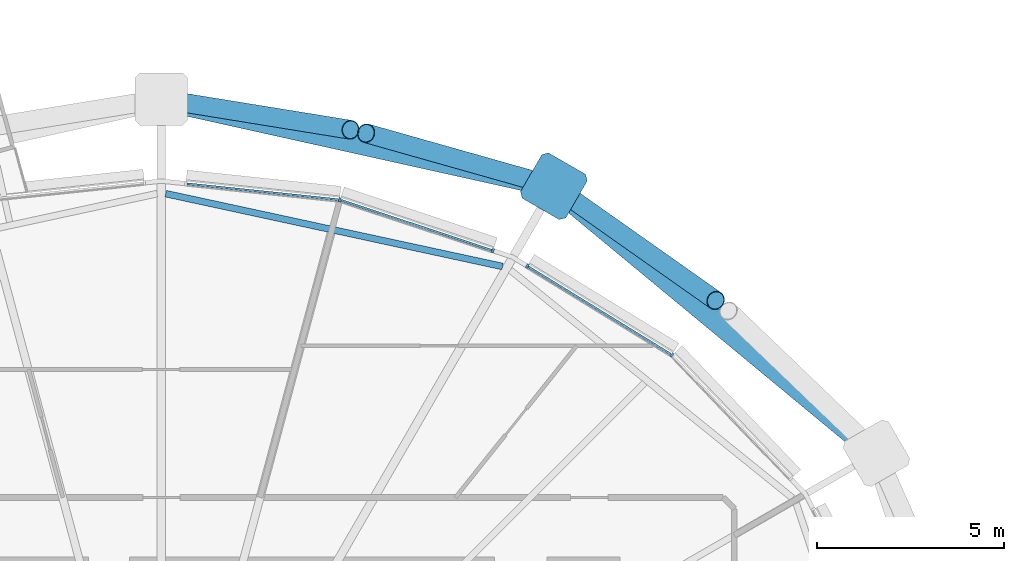
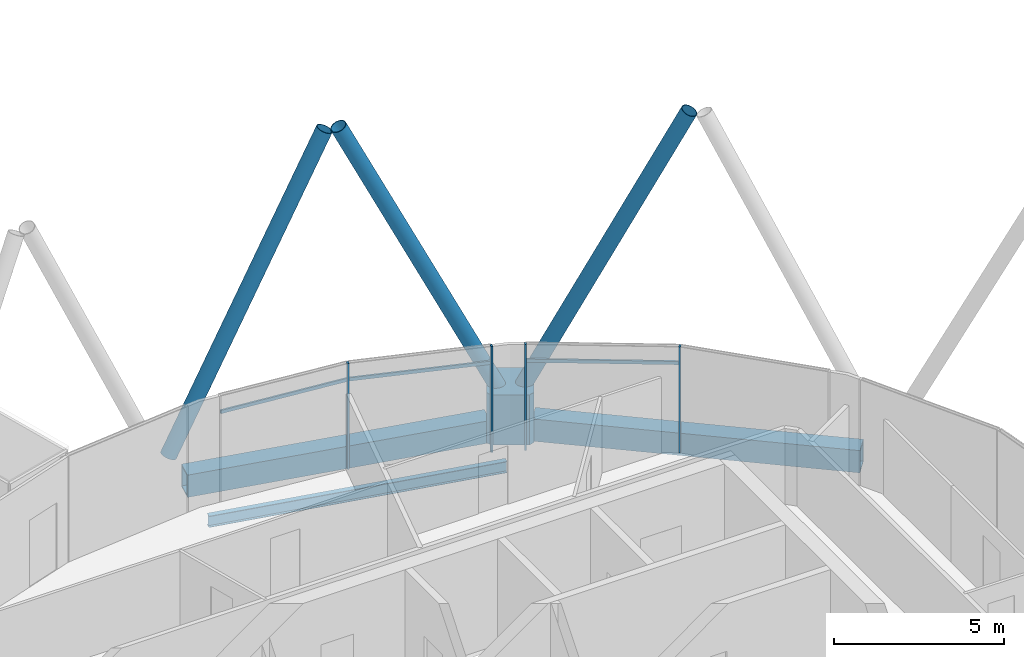
# One storey, part 9 of 32: 11 members, 3 beams, 1 element without a shape of its own.
"""IFC4 building model written with IfcOpenShell, lengths in metres."""

from ifc_helpers import new_model, si_unit, direction, frame, origin, origin_2d, place, context, subcontext, project, spatial, polyline, rectangle, hollow_rectangle, hollow_circle, i_section, outline, extrude, material, material_profile, profile_set, type_object, element, aggregate, save


model = new_model("IFC4")

# Units and contexts
model_context = context("Model", 3, precision=1e-05, world=origin(), true_north=direction((0.0, 1.0)))
body_context = subcontext(model_context, "Body", "Model", "MODEL_VIEW")
ifc_project = project(units=[si_unit("LENGTHUNIT", "METRE"), si_unit("AREAUNIT", "SQUARE_METRE"), si_unit("VOLUMEUNIT", "CUBIC_METRE"), si_unit("PLANEANGLEUNIT", "RADIAN"), si_unit("MASSUNIT", "GRAM", prefix="KILO")], contexts=[model_context])

# Site, building, storey
site_placement = place(None, origin())
site = spatial("IfcSite", under=ifc_project, at=site_placement, CompositionType="ELEMENT")
building_placement = place(site_placement, origin())
building = spatial("IfcBuilding", under=site, at=building_placement, Name="Rimbun Link Towers", CompositionType="ELEMENT")
storey_placement = place(building_placement, frame((0.0, 0.0, 233.300048828125)))
storey = spatial("IfcBuildingStorey", under=building, at=storey_placement, Name="L57", CompositionType="ELEMENT", Elevation=233.300048828125)

# Curtain wall, members
ifc_material_1 = material(Name="Aluminium 6063-T6 and low-iron glass", Category="aluminium")
curtain_wall_type = type_object("IfcCurtainWallType", Name="CW1-Z4 unitised vision wall (zone 4)", PredefinedType="NOTDEFINED", material=ifc_material_1)
curtain_wall_placement = place(storey_placement, origin())
curtain_wall = element("IfcCurtainWall", 1, at=curtain_wall_placement, inside=storey, type_object=curtain_wall_type, Name="CW1 L57 T1", PredefinedType="NOTDEFINED")
ifc_material_2 = material(Name="Aluminium 6063-T6", Category="aluminium")
ifc_material_profile_1 = material_profile(ifc_material_2, rectangle(XDim=0.1201171875, YDim=0.06005859375, at=origin_2d()), Name="MULLION 60X120")
ifc_profile_set_1 = profile_set([ifc_material_profile_1], Name="Aluminium 6063-T6")
member_type_1 = type_object("IfcMemberType", Name="CW1 mullion 60X120", PredefinedType="MULLION", material=ifc_profile_set_1)
member_1_placement = place(storey_placement, frame((-18.10888671875, 13.650146484375, 0.0), z_axis=(0.0, 0.0, 1.0), x_axis=(0.627668219007, 0.778480961134, 0.0)))
member_1 = element("IfcMember", 2, at=member_1_placement, type_object=member_type_1, Name="CW1 mullion", PredefinedType="MULLION", context=body_context, shape_type="SweptSolid", body=[
    extrude(rectangle(XDim=0.1201171875, YDim=0.06005859375, at=origin_2d()), origin(), (0.0, 0.0, 1.0), 3.800048828125),
])
member_2_placement = place(storey_placement, frame((-21.976318359375, 16.025390625, 0.0), z_axis=(0.0, 0.0, 1.0), x_axis=(0.523240269306, 0.852185203214, 0.0)))
member_2 = element("IfcMember", 3, at=member_2_placement, type_object=member_type_1, Name="CW1 mullion", PredefinedType="MULLION", context=body_context, shape_type="SweptSolid", body=[
    extrude(rectangle(XDim=0.1201171875, YDim=0.06005859375, at=origin_2d()), origin(), (0.0, 0.0, 1.0), 3.800048828125),
])
member_3_placement = place(storey_placement, frame((-26.98486328125, 17.794921875, 0.0), z_axis=(0.0, 0.0, 1.0), x_axis=(0.210871343796, 0.97751382413, 0.0)))
member_3 = element("IfcMember", 4, at=member_3_placement, type_object=member_type_1, Name="CW1 mullion", PredefinedType="MULLION", context=body_context, shape_type="SweptSolid", body=[
    extrude(rectangle(XDim=0.1201171875, YDim=0.06005859375, at=origin_2d()), origin(), (0.0, 0.0, 1.0), 3.800048828125),
])
member_4_placement = place(storey_placement, frame((-22.89453125, 16.439697265625, 0.0), z_axis=(0.0, 0.0, 1.0), x_axis=(0.314570456722, 0.949234126945, 0.0)))
member_4 = element("IfcMember", 5, at=member_4_placement, type_object=member_type_1, Name="CW1 mullion", PredefinedType="MULLION", context=body_context, shape_type="SweptSolid", body=[
    extrude(rectangle(XDim=0.1201171875, YDim=0.06005859375, at=origin_2d()), origin(), (0.0, 0.0, 1.0), 3.800048828125),
])
ifc_material_3 = material(Name="Aluminium 6063-T6", Category="aluminium")
ifc_material_profile_2 = material_profile(ifc_material_3, rectangle(XDim=0.06005859375, YDim=0.1201171875, at=origin_2d()), Name="TRANSOM 60X120")
ifc_profile_set_2 = profile_set([ifc_material_profile_2], Name="Aluminium 6063-T6")
member_type_2 = type_object("IfcMemberType", Name="CW1 transom 60X120", PredefinedType="USERDEFINED", material=ifc_profile_set_2)
member_5_placement = place(storey_placement, frame((-21.951904296875, 16.008056640625, 3.199951171875), z_axis=(0.852201552953, -0.523213640059, 0.0), x_axis=(0.523213640059, 0.852201552953, 0.0)))
member_5 = element("IfcMember", 6, at=member_5_placement, type_object=member_type_2, Name="CW1 transom", ObjectType="TRANSOM", PredefinedType="USERDEFINED", context=body_context, shape_type="SweptSolid", body=[
    extrude(rectangle(XDim=0.06005859375, YDim=0.1201171875, at=origin_2d()), origin(), (0.0, 0.0, 1.0), 4.47119140625),
])
member_6_placement = place(storey_placement, frame((-26.950927734375, 17.781982421875, 3.199951171875), z_axis=(0.949228538596, -0.314587319381, 0.0), x_axis=(0.314587319381, 0.949228538596, 0.0)))
member_6 = element("IfcMember", 7, at=member_6_placement, type_object=member_type_2, Name="CW1 transom", ObjectType="TRANSOM", PredefinedType="USERDEFINED", context=body_context, shape_type="SweptSolid", body=[
    extrude(rectangle(XDim=0.06005859375, YDim=0.1201171875, at=origin_2d()), origin(), (0.0, 0.0, 1.0), 4.24267578125),
])
member_7_placement = place(storey_placement, frame((-31.067626953125, 18.22314453125, 3.199951171875), z_axis=(0.994503151165, -0.104706648895, 0.0), x_axis=(0.104706648895, 0.994503151165, 0.0)))
member_7 = element("IfcMember", 8, at=member_7_placement, type_object=member_type_2, Name="CW1 transom", ObjectType="TRANSOM", PredefinedType="USERDEFINED", context=body_context, shape_type="SweptSolid", body=[
    extrude(rectangle(XDim=0.06005859375, YDim=0.1201171875, at=origin_2d()), origin(), (0.0, 0.0, 1.0), 4.06884765625),
])
aggregate(curtain_wall, [member_1, member_2, member_3, member_4, member_5, member_6, member_7])

# Members
ifc_material_4 = material(Name="Steel S355J2H", Category="steel")
ifc_material_profile_3 = material_profile(ifc_material_4, hollow_circle(Radius=0.25390625, WallThickness=0.02001953125, at=origin_2d()), Name="Diagrid diagonal CHS 508x20")
ifc_profile_set_3 = profile_set([ifc_material_profile_3], Name="Steel S355J2H")
member_type_3 = type_object("IfcMemberType", Name="Diagrid diagonal CHS 508x20", PredefinedType="BRACE", material=ifc_profile_set_3)
member_8_placement = place(storey_placement, frame((-21.088623046875, 18.032958984375, 0.4501953125), z_axis=(0.355393319914, -0.250810450056, 0.900438618842), x_axis=(0.576598153893, 0.817027887485, 0.0)))
element("IfcMember", 9, at=member_8_placement, inside=storey, type_object=member_type_3, Name="Diagrid diagonal T1 L57-L60 04a", PredefinedType="BRACE", context=body_context, shape_type="SweptSolid", body=[
    extrude(hollow_circle(Radius=0.25390625, WallThickness=0.02001953125, at=origin_2d()), origin(), (0.0, 0.0, 1.0), 11.660400390625),
])
member_9_placement = place(storey_placement, frame((-21.47314453125, 18.216796875, 0.451416015625), z_axis=(-0.413652276696, 0.116863383075, 0.902903507403), x_axis=(-0.271874390149, -0.962332747017, 0.0)))
element("IfcMember", 10, at=member_9_placement, inside=storey, type_object=member_type_3, Name="Diagrid diagonal T1 L57-L60 04b", PredefinedType="BRACE", context=body_context, shape_type="SweptSolid", body=[
    extrude(hollow_circle(Radius=0.25390625, WallThickness=0.02001953125, at=origin_2d()), origin(), (0.0, 0.0, 1.0), 11.6259765625),
])
member_10_placement = place(storey_placement, frame((-31.541015625, 20.452880859375, 0.452880859375), z_axis=(0.418063811129, -0.067777043736, 0.905885711427), x_axis=(0.160031845351, 0.987111852058, 0.0)))
element("IfcMember", 11, at=member_10_placement, inside=storey, type_object=member_type_3, Name="Diagrid diagonal T1 L57-L60 06a", PredefinedType="BRACE", context=body_context, shape_type="SweptSolid", body=[
    extrude(hollow_circle(Radius=0.25390625, WallThickness=0.02001953125, at=origin_2d()), origin(), (0.0, 0.0, 1.0), 11.58447265625),
])
ifc_material_5 = material(Name="Cast steel G20Mn5+QT, Rp0.2 300 MPa", Category="steel")
ifc_material_profile_4 = material_profile(ifc_material_5, outline(polyline([(0.699951171875, -0.570068359375), (0.699951171875, 0.570068359375), (0.570068359375, 0.699951171875), (-0.570068359375, 0.699951171875), (-0.699951171875, 0.570068359375), (-0.699951171875, -0.570068359375), (-0.570068359375, -0.699951171875), (0.570068359375, -0.699951171875), (0.699951171875, -0.570068359375)])), Name="NODE 1400x1400")
ifc_profile_set_4 = profile_set([ifc_material_profile_4], Name="Cast steel G20Mn5+QT, Rp0.2 300 MPa")
member_type_4 = type_object("IfcMemberType", Name="Diagrid node cast 1400", PredefinedType="USERDEFINED", material=ifc_profile_set_4)
member_11_placement = place(storey_placement, frame((-21.266357421875, 18.158447265625, -0.900146484375), z_axis=(0.0, 0.0, 1.0), x_axis=(0.5, 0.866025403784, 0.0)))
element("IfcMember", 12, at=member_11_placement, inside=storey, type_object=member_type_4, Name="Diagrid node L57 04", ObjectType="Diagrid node", PredefinedType="USERDEFINED", context=body_context, shape_type="SweptSolid", body=[
    extrude(outline(polyline([(0.699951171875, -0.570068359375), (0.699951171875, 0.570068359375), (0.570068359375, 0.699951171875), (-0.570068359375, 0.699951171875), (-0.699951171875, 0.570068359375), (-0.699951171875, -0.570068359375), (-0.570068359375, -0.699951171875), (0.570068359375, -0.699951171875), (0.699951171875, -0.570068359375)])), origin(), (0.0, 0.0, 1.0), 1.800048828125),
])

# Beams
ifc_material_6 = material(Name="Steel S355J2", Category="steel")
ifc_material_profile_5 = material_profile(ifc_material_6, hollow_rectangle(XDim=0.60009765625, YDim=0.800048828125, WallThickness=0.0400390625, at=origin_2d()), Name="Exoskeleton ring girder BOX 600x800x40")
ifc_profile_set_5 = profile_set([ifc_material_profile_5], Name="Steel S355J2")
beam_type_1 = type_object("IfcBeamType", Name="Exoskeleton ring girder BOX 600x800x40", PredefinedType="BEAM", material=ifc_profile_set_5)
beam_1_placement = place(storey_placement, frame((-13.18896484375, 11.473876953125, -0.56005859375), z_axis=(-0.770401082802, 0.637559543586, 0.0), x_axis=(-0.637559543586, -0.770401082802, 0.0)))
element("IfcBeam", 13, at=beam_1_placement, inside=storey, type_object=beam_type_1, Name="Exoskeleton ring girder L57 01", PredefinedType="BEAM", context=body_context, shape_type="SweptSolid", body=[
    extrude(hollow_rectangle(XDim=0.60009765625, YDim=0.800048828125, WallThickness=0.0400390625, at=origin_2d()), origin(), (0.0, 0.0, 1.0), 9.78466796875),
])
beam_2_placement = place(storey_placement, frame((-21.94970703125, 18.310302734375, -0.56005859375), z_axis=(-0.976217190841, 0.216794825366, 0.0), x_axis=(-0.216794825366, -0.976217190841, 0.0)))
element("IfcBeam", 14, at=beam_2_placement, inside=storey, type_object=beam_type_1, Name="Exoskeleton ring girder L57 02", PredefinedType="BEAM", context=body_context, shape_type="SweptSolid", body=[
    extrude(hollow_rectangle(XDim=0.60009765625, YDim=0.800048828125, WallThickness=0.0400390625, at=origin_2d()), origin(), (0.0, 0.0, 1.0), 9.339111328125),
])
ifc_material_7 = material(Name="Steel S355J2", Category="steel")
ifc_material_profile_6 = material_profile(ifc_material_7, i_section(OverallWidth=0.177978515625, OverallDepth=0.406494140625, WebThickness=0.0078125, FlangeThickness=0.0126953125, at=origin_2d()), Name="UB 406x178x60")
ifc_profile_set_6 = profile_set([ifc_material_profile_6], Name="Steel S355J2")
beam_type_2 = type_object("IfcBeamType", Name="UB 406x178x60", PredefinedType="BEAM", material=ifc_profile_set_6)
beam_3_placement = place(storey_placement, frame((-22.63671875, 16.01416015625, -0.34326171875), z_axis=(-0.977393879339, 0.211426593954, 0.0), x_axis=(-0.211426593954, -0.977393879339, 0.0)))
element("IfcBeam", 15, at=beam_3_placement, inside=storey, type_object=beam_type_2, Name="Edge beam T1 L57 04-06", PredefinedType="BEAM", context=body_context, shape_type="SweptSolid", body=[
    extrude(i_section(OverallWidth=0.177978515625, OverallDepth=0.406494140625, WebThickness=0.0078125, FlangeThickness=0.0126953125, at=origin_2d()), origin(), (0.0, 0.0, 1.0), 9.20654296875),
])

save(model, "model.ifc")
